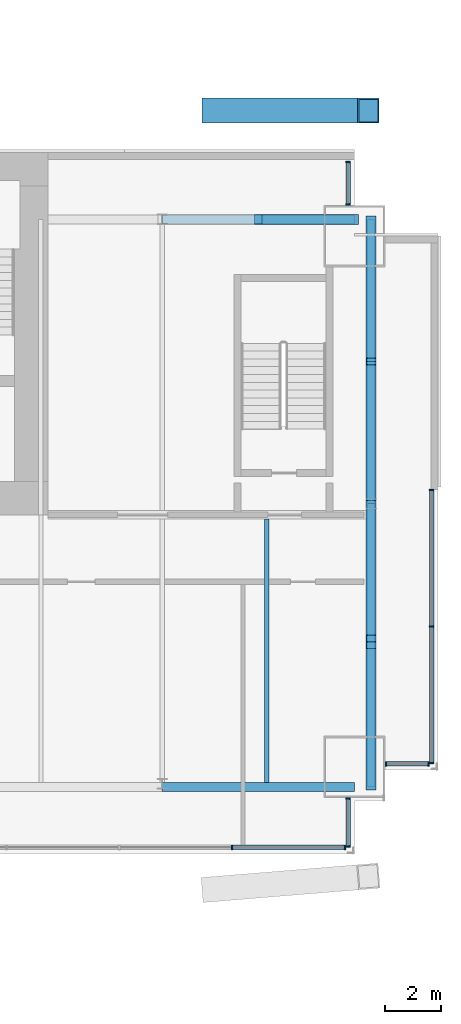
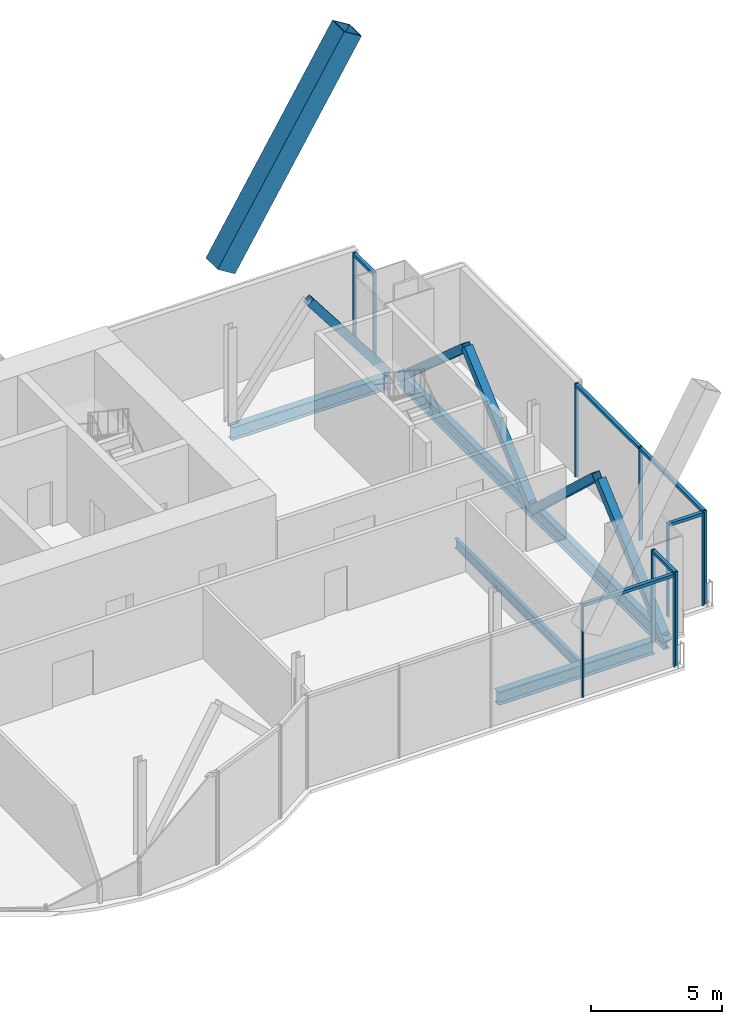
# One storey, part 9 of 17: 23 members, 5 beams, 5 elements without a shape of their own.
"""IFC4 building model written with IfcOpenShell, lengths in metres."""

from ifc_helpers import new_model, si_unit, direction, frame, origin, origin_2d, place, context, subcontext, project, spatial, rectangle, hollow_rectangle, i_section, extrude, material, material_profile, profile_set, type_object, element, aggregate, save


model = new_model("IFC4")

# Units and contexts
model_context = context("Model", 3, precision=1e-05, world=origin(), true_north=direction((0.0, 1.0)))
body_context = subcontext(model_context, "Body", "Model", "MODEL_VIEW")
ifc_project = project(units=[si_unit("LENGTHUNIT", "METRE"), si_unit("AREAUNIT", "SQUARE_METRE"), si_unit("VOLUMEUNIT", "CUBIC_METRE"), si_unit("PLANEANGLEUNIT", "RADIAN"), si_unit("MASSUNIT", "GRAM", prefix="KILO")], contexts=[model_context])

# Site, building, storey
site_placement = place(None, origin())
site = spatial("IfcSite", under=ifc_project, at=site_placement, CompositionType="ELEMENT")
building_placement = place(site_placement, origin())
building = spatial("IfcBuilding", under=site, at=building_placement, Name="Bicima Exchange Tower", CompositionType="ELEMENT")
storey_placement = place(building_placement, frame((0.0, 0.0, 333.5)))
storey = spatial("IfcBuildingStorey", under=building, at=storey_placement, Name="L75", CompositionType="ELEMENT", Elevation=333.5)

# Curtain wall, members
ifc_material_1 = material(Name="Anodised bronze aluminium", Category="aluminium")
curtain_wall_type_1 = type_object("IfcCurtainWallType", Name="End face glass wall", PredefinedType="NOTDEFINED", material=ifc_material_1)
curtain_wall_1_placement = place(storey_placement, origin())
curtain_wall_1 = element("IfcCurtainWall", 1, at=curtain_wall_1_placement, inside=storey, type_object=curtain_wall_type_1, Name="End face glass wall L75 run 19", PredefinedType="NOTDEFINED")
ifc_material_profile_1 = material_profile(ifc_material_1, rectangle(XDim=0.159912109375, YDim=0.06005859375, at=origin_2d()))
ifc_profile_set_1 = profile_set([ifc_material_profile_1], Name="Anodised bronze aluminium")
member_type_1 = type_object("IfcMemberType", Name="End face glass wall mullion 60 x 160", PredefinedType="MULLION", material=ifc_profile_set_1)
member_1_placement = place(storey_placement, frame((35.77001953125, -21.904052734375, 0.0), z_axis=(0.0, 0.0, 1.0), x_axis=(-1.0, 0.0, 0.0)))
member_1 = element("IfcMember", 2, at=member_1_placement, type_object=member_type_1, Name="End face glass wall mullion 1", PredefinedType="MULLION", context=body_context, shape_type="SweptSolid", body=[
    extrude(rectangle(XDim=0.159912109375, YDim=0.06005859375, at=origin_2d()), origin(), (0.0, 0.0, 1.0), 4.35009765625),
])
member_2_placement = place(storey_placement, frame((35.77001953125, -17.007080078125, 0.0), z_axis=(0.0, 0.0, 1.0), x_axis=(-1.0, 0.0, 0.0)))
member_2 = element("IfcMember", 3, at=member_2_placement, type_object=member_type_1, Name="End face glass wall mullion 2", PredefinedType="MULLION", context=body_context, shape_type="SweptSolid", body=[
    extrude(rectangle(XDim=0.159912109375, YDim=0.06005859375, at=origin_2d()), origin(), (0.0, 0.0, 1.0), 4.35009765625),
])
member_3_placement = place(storey_placement, frame((35.77001953125, -12.110107421875, 0.0), z_axis=(0.0, 0.0, 1.0), x_axis=(-1.0, 0.0, 0.0)))
member_3 = element("IfcMember", 4, at=member_3_placement, type_object=member_type_1, Name="End face glass wall mullion 3", PredefinedType="MULLION", context=body_context, shape_type="SweptSolid", body=[
    extrude(rectangle(XDim=0.159912109375, YDim=0.06005859375, at=origin_2d()), origin(), (0.0, 0.0, 1.0), 4.35009765625),
])
ifc_material_profile_2 = material_profile(ifc_material_1, rectangle(XDim=0.159912109375, YDim=0.139892578125, at=origin_2d()))
ifc_profile_set_2 = profile_set([ifc_material_profile_2], Name="Anodised bronze aluminium")
member_type_2 = type_object("IfcMemberType", Name="End face glass wall transom 140 x 160", PredefinedType="USERDEFINED", material=ifc_profile_set_2)
member_4_placement = place(storey_placement, frame((35.77001953125, -21.8740234375, 4.280029296875), z_axis=(0.0, 1.0, 0.0), x_axis=(-1.0, 0.0, 0.0)))
member_4 = element("IfcMember", 5, at=member_4_placement, type_object=member_type_2, Name="End face glass wall transom 1.1", ObjectType="TRANSOM", PredefinedType="USERDEFINED", context=body_context, shape_type="SweptSolid", body=[
    extrude(rectangle(XDim=0.159912109375, YDim=0.139892578125, at=origin_2d()), origin(), (0.0, 0.0, 1.0), 4.8369140625),
])
member_5_placement = place(storey_placement, frame((35.77001953125, -16.97705078125, 4.280029296875), z_axis=(0.0, 1.0, 0.0), x_axis=(-1.0, 0.0, 0.0)))
member_5 = element("IfcMember", 6, at=member_5_placement, type_object=member_type_2, Name="End face glass wall transom 2.1", ObjectType="TRANSOM", PredefinedType="USERDEFINED", context=body_context, shape_type="SweptSolid", body=[
    extrude(rectangle(XDim=0.159912109375, YDim=0.139892578125, at=origin_2d()), origin(), (0.0, 0.0, 1.0), 4.837158203125),
])
aggregate(curtain_wall_1, [member_1, member_2, member_3, member_4, member_5])

# Beams
ifc_material_2 = material(Name="Steel ASTM A992 Gr 50", Category="steel")
ifc_material_profile_3 = material_profile(ifc_material_2, i_section(OverallWidth=0.256591796875, OverallDepth=0.693359375, WebThickness=0.014404296875, FlangeThickness=0.023681640625, at=origin_2d()))
ifc_profile_set_3 = profile_set([ifc_material_profile_3], Name="Steel ASTM A992 Gr 50")
beam_type_1 = type_object("IfcBeamType", Name="End girder W27x114", PredefinedType="BEAM", material=ifc_profile_set_3)
beam_1_placement = place(storey_placement, frame((33.60009765625, -2.39990234375, -0.49658203125), z_axis=(0.0, -1.0, 0.0), x_axis=(1.0, 0.0, 0.0)))
element("IfcBeam", 7, at=beam_1_placement, inside=storey, type_object=beam_type_1, Name="End girder", PredefinedType="BEAM", context=body_context, shape_type="SweptSolid", body=[
    extrude(i_section(OverallWidth=0.256591796875, OverallDepth=0.693359375, WebThickness=0.014404296875, FlangeThickness=0.023681640625, at=origin_2d()), origin(), (0.0, 0.0, 1.0), 10.2001953125),
])
beam_2_placement = place(storey_placement, frame((33.60009765625, -12.60009765625, -0.49658203125), z_axis=(0.0, -1.0, 0.0), x_axis=(1.0, 0.0, 0.0)))
element("IfcBeam", 8, at=beam_2_placement, inside=storey, type_object=beam_type_1, Name="End girder", PredefinedType="BEAM", context=body_context, shape_type="SweptSolid", body=[
    extrude(i_section(OverallWidth=0.256591796875, OverallDepth=0.693359375, WebThickness=0.014404296875, FlangeThickness=0.023681640625, at=origin_2d()), origin(), (0.0, 0.0, 1.0), 10.163818359375),
])

# Member
ifc_material_3 = material(Name="Steel ASTM A572 Gr 50", Category="steel")
ifc_material_profile_4 = material_profile(ifc_material_3, hollow_rectangle(XDim=0.89990234375, YDim=0.89990234375, WallThickness=0.050048828125, at=origin_2d()))
ifc_profile_set_4 = profile_set([ifc_material_profile_4], Name="Steel ASTM A572 Gr 50")
member_type_3 = type_object("IfcMemberType", Name="Exo mega brace BOX 900x900x50", PredefinedType="BRACE", material=ifc_profile_set_4)
member_6_placement = place(storey_placement, frame((27.916748046875, 1.5, 4.308349609375), z_axis=(0.521226887558, 0.0, 0.853418145862), x_axis=(0.0, 1.0, 0.0)))
element("IfcMember", 9, at=member_6_placement, inside=storey, type_object=member_type_3, Name="Exo mega brace rear", PredefinedType="BRACE", context=body_context, shape_type="SweptSolid", body=[
    extrude(hollow_rectangle(XDim=0.89990234375, YDim=0.89990234375, WallThickness=0.050048828125, at=origin_2d()), origin(), (0.0, 0.0, 1.0), 10.711669921875),
])

# Beams
ifc_material_profile_5 = material_profile(ifc_material_2, i_section(OverallWidth=0.15283203125, OverallDepth=0.45458984375, WebThickness=0.008056640625, FlangeThickness=0.013427734375, at=origin_2d()))
ifc_profile_set_5 = profile_set([ifc_material_profile_5], Name="Steel ASTM A992 Gr 50")
beam_type_2 = type_object("IfcBeamType", Name="Floor beam W18x40", PredefinedType="JOIST", material=ifc_profile_set_5)
beam_3_placement = place(storey_placement, frame((29.85009765625, -13.15234375, -0.377197265625), z_axis=(0.0, -1.0, 0.0), x_axis=(1.0, 0.0, 0.0)))
element("IfcBeam", 10, at=beam_3_placement, inside=storey, type_object=beam_type_2, Name="Floor beam", PredefinedType="JOIST", context=body_context, shape_type="SweptSolid", body=[
    extrude(i_section(OverallWidth=0.15283203125, OverallDepth=0.45458984375, WebThickness=0.008056640625, FlangeThickness=0.013427734375, at=origin_2d()), origin(), (0.0, 0.0, 1.0), 9.448974609375),
])
ifc_material_profile_6 = material_profile(ifc_material_2, i_section(OverallWidth=0.3251953125, OverallDepth=0.612060546875, WebThickness=0.0126953125, FlangeThickness=0.01904296875, at=origin_2d()))
ifc_profile_set_6 = profile_set([ifc_material_profile_6], Name="Steel ASTM A992 Gr 50")
beam_type_3 = type_object("IfcBeamType", Name="Front girder W24x104", PredefinedType="BEAM", material=ifc_profile_set_6)
beam_4_placement = place(storey_placement, frame((26.10009765625, -22.763916015625, -0.4560546875), z_axis=(1.0, 0.0, 0.0), x_axis=(0.0, 1.0, 0.0)))
element("IfcBeam", 11, at=beam_4_placement, inside=storey, type_object=beam_type_3, Name="Front girder", PredefinedType="BEAM", context=body_context, shape_type="SweptSolid", body=[
    extrude(i_section(OverallWidth=0.3251953125, OverallDepth=0.612060546875, WebThickness=0.0126953125, FlangeThickness=0.01904296875, at=origin_2d()), origin(), (0.0, 0.0, 1.0), 6.89990234375),
])

# Curtain wall, members
curtain_wall_type_2 = type_object("IfcCurtainWallType", Name="Front glass wall", PredefinedType="NOTDEFINED", material=ifc_material_1)
curtain_wall_2_placement = place(storey_placement, origin())
curtain_wall_2 = element("IfcCurtainWall", 12, at=curtain_wall_2_placement, inside=storey, type_object=curtain_wall_type_2, Name="Front glass wall L75 run 16", PredefinedType="NOTDEFINED")
member_type_4 = type_object("IfcMemberType", Name="Front glass wall mullion 60 x 160", PredefinedType="MULLION", material=ifc_profile_set_1)
member_7_placement = place(storey_placement, frame((28.610595703125, -24.93408203125, 0.0), z_axis=(0.0, 0.0, 1.0), x_axis=(0.0, 1.0, 0.0)))
member_7 = element("IfcMember", 13, at=member_7_placement, type_object=member_type_4, Name="Front glass wall mullion 4", PredefinedType="MULLION", context=body_context, shape_type="SweptSolid", body=[
    extrude(rectangle(XDim=0.159912109375, YDim=0.06005859375, at=origin_2d()), origin(), (0.0, 0.0, 1.0), 4.35009765625),
])
member_8_placement = place(storey_placement, frame((32.659912109375, -24.93408203125, 0.0), z_axis=(0.0, 0.0, 1.0), x_axis=(0.0, 1.0, 0.0)))
member_8 = element("IfcMember", 14, at=member_8_placement, type_object=member_type_4, Name="Front glass wall mullion 5", PredefinedType="MULLION", context=body_context, shape_type="SweptSolid", body=[
    extrude(rectangle(XDim=0.159912109375, YDim=0.06005859375, at=origin_2d()), origin(), (0.0, 0.0, 1.0), 4.35009765625),
])

curtain_wall_3_placement = place(storey_placement, origin())
curtain_wall_3 = element("IfcCurtainWall", 15, at=curtain_wall_3_placement, inside=storey, type_object=curtain_wall_type_2, Name="Front glass wall L75 run 17", PredefinedType="NOTDEFINED")
member_9_placement = place(storey_placement, frame((32.77001953125, -24.904052734375, 0.0), z_axis=(0.0, 0.0, 1.0), x_axis=(-1.0, 0.0, 0.0)))
member_9 = element("IfcMember", 16, at=member_9_placement, type_object=member_type_4, Name="Front glass wall mullion 1", PredefinedType="MULLION", context=body_context, shape_type="SweptSolid", body=[
    extrude(rectangle(XDim=0.159912109375, YDim=0.06005859375, at=origin_2d()), origin(), (0.0, 0.0, 1.0), 4.35009765625),
])
member_10_placement = place(storey_placement, frame((32.77001953125, -23.172119140625, 0.0), z_axis=(0.0, 0.0, 1.0), x_axis=(-1.0, 0.0, 0.0)))
member_10 = element("IfcMember", 17, at=member_10_placement, type_object=member_type_4, Name="Front glass wall mullion 2", PredefinedType="MULLION", context=body_context, shape_type="SweptSolid", body=[
    extrude(rectangle(XDim=0.159912109375, YDim=0.06005859375, at=origin_2d()), origin(), (0.0, 0.0, 1.0), 4.35009765625),
])

curtain_wall_4_placement = place(storey_placement, origin())
curtain_wall_4 = element("IfcCurtainWall", 18, at=curtain_wall_4_placement, inside=storey, type_object=curtain_wall_type_2, Name="Front glass wall L75 run 18", PredefinedType="NOTDEFINED")
member_11_placement = place(storey_placement, frame((34.1298828125, -21.93408203125, 0.0), z_axis=(0.0, 0.0, 1.0), x_axis=(0.0, 1.0, 0.0)))
member_11 = element("IfcMember", 19, at=member_11_placement, type_object=member_type_4, Name="Front glass wall mullion 1", PredefinedType="MULLION", context=body_context, shape_type="SweptSolid", body=[
    extrude(rectangle(XDim=0.159912109375, YDim=0.06005859375, at=origin_2d()), origin(), (0.0, 0.0, 1.0), 4.35009765625),
])
member_12_placement = place(storey_placement, frame((35.659912109375, -21.93408203125, 0.0), z_axis=(0.0, 0.0, 1.0), x_axis=(0.0, 1.0, 0.0)))
member_12 = element("IfcMember", 20, at=member_12_placement, type_object=member_type_4, Name="Front glass wall mullion 2", PredefinedType="MULLION", context=body_context, shape_type="SweptSolid", body=[
    extrude(rectangle(XDim=0.159912109375, YDim=0.06005859375, at=origin_2d()), origin(), (0.0, 0.0, 1.0), 4.35009765625),
])

curtain_wall_5_placement = place(storey_placement, origin())
curtain_wall_5 = element("IfcCurtainWall", 21, at=curtain_wall_5_placement, inside=storey, type_object=curtain_wall_type_2, Name="Front glass wall L75 run 20", PredefinedType="NOTDEFINED")
member_13_placement = place(storey_placement, frame((32.77001953125, -1.8701171875, 0.0), z_axis=(0.0, 0.0, 1.0), x_axis=(-1.0, 0.0, 0.0)))
member_13 = element("IfcMember", 22, at=member_13_placement, type_object=member_type_4, Name="Front glass wall mullion 1", PredefinedType="MULLION", context=body_context, shape_type="SweptSolid", body=[
    extrude(rectangle(XDim=0.159912109375, YDim=0.06005859375, at=origin_2d()), origin(), (0.0, 0.0, 1.0), 4.35009765625),
])
member_14_placement = place(storey_placement, frame((32.77001953125, -0.340087890625, 0.0), z_axis=(0.0, 0.0, 1.0), x_axis=(-1.0, 0.0, 0.0)))
member_14 = element("IfcMember", 23, at=member_14_placement, type_object=member_type_4, Name="Front glass wall mullion 2", PredefinedType="MULLION", context=body_context, shape_type="SweptSolid", body=[
    extrude(rectangle(XDim=0.159912109375, YDim=0.06005859375, at=origin_2d()), origin(), (0.0, 0.0, 1.0), 4.35009765625),
])

# Member
member_type_5 = type_object("IfcMemberType", Name="Front glass wall transom 140 x 160", PredefinedType="USERDEFINED", material=ifc_profile_set_2)
member_15_placement = place(storey_placement, frame((28.640380859375, -24.93408203125, 4.280029296875), z_axis=(1.0, 0.0, 0.0), x_axis=(0.0, 1.0, 0.0)))
member_15 = element("IfcMember", 24, at=member_15_placement, type_object=member_type_5, Name="Front glass wall transom 4.1", ObjectType="TRANSOM", PredefinedType="USERDEFINED", context=body_context, shape_type="SweptSolid", body=[
    extrude(rectangle(XDim=0.159912109375, YDim=0.139892578125, at=origin_2d()), origin(), (0.0, 0.0, 1.0), 3.989501953125),
])

aggregate(curtain_wall_2, [member_7, member_8, member_15])

member_16_placement = place(storey_placement, frame((32.77001953125, -24.8740234375, 4.280029296875), z_axis=(0.0, 1.0, 0.0), x_axis=(-1.0, 0.0, 0.0)))
member_16 = element("IfcMember", 25, at=member_16_placement, type_object=member_type_5, Name="Front glass wall transom 1.1", ObjectType="TRANSOM", PredefinedType="USERDEFINED", context=body_context, shape_type="SweptSolid", body=[
    extrude(rectangle(XDim=0.159912109375, YDim=0.139892578125, at=origin_2d()), origin(), (0.0, 0.0, 1.0), 1.672119140625),
])

aggregate(curtain_wall_3, [member_9, member_10, member_16])

member_17_placement = place(storey_placement, frame((34.159912109375, -21.93408203125, 4.280029296875), z_axis=(1.0, 0.0, 0.0), x_axis=(0.0, 1.0, 0.0)))
member_17 = element("IfcMember", 26, at=member_17_placement, type_object=member_type_5, Name="Front glass wall transom 1.1", ObjectType="TRANSOM", PredefinedType="USERDEFINED", context=body_context, shape_type="SweptSolid", body=[
    extrude(rectangle(XDim=0.159912109375, YDim=0.139892578125, at=origin_2d()), origin(), (0.0, 0.0, 1.0), 1.469970703125),
])

aggregate(curtain_wall_4, [member_11, member_12, member_17])

member_18_placement = place(storey_placement, frame((32.77001953125, -1.840087890625, 4.280029296875), z_axis=(0.0, 1.0, 0.0), x_axis=(-1.0, 0.0, 0.0)))
member_18 = element("IfcMember", 27, at=member_18_placement, type_object=member_type_5, Name="Front glass wall transom 1.1", ObjectType="TRANSOM", PredefinedType="USERDEFINED", context=body_context, shape_type="SweptSolid", body=[
    extrude(rectangle(XDim=0.159912109375, YDim=0.139892578125, at=origin_2d()), origin(), (0.0, 0.0, 1.0), 1.469970703125),
])

aggregate(curtain_wall_5, [member_13, member_14, member_18])

# Members
ifc_material_profile_7 = material_profile(ifc_material_3, hollow_rectangle(XDim=0.355712890625, YDim=0.355712890625, WallThickness=0.01171875, at=origin_2d()))
ifc_profile_set_7 = profile_set([ifc_material_profile_7], Name="Steel ASTM A572 Gr 50")
member_type_6 = type_object("IfcMemberType", Name="Mega brace HSS14x14x1/2", PredefinedType="BRACE", material=ifc_profile_set_7)
member_19_placement = place(storey_placement, frame((33.0, -2.39990234375, 0.0), z_axis=(-0.608426120198, 0.0, 0.793610519248), x_axis=(0.0, -1.0, 0.0)))
element("IfcMember", 28, at=member_19_placement, inside=storey, type_object=member_type_6, Name="Mega brace rear", PredefinedType="BRACE", context=body_context, shape_type="SweptSolid", body=[
    extrude(hollow_rectangle(XDim=0.355712890625, YDim=0.355712890625, WallThickness=0.01171875, at=origin_2d()), origin(), (0.0, 0.0, 1.0), 5.670166015625),
])
for number, where, z_axis, x_axis, name in (
    (29, (33.60009765625, -2.39990234375, -0.49658203125), (0.0, -0.749844140428, 0.661614513948), (1.0, 0.0, 0.0), "Mega brace east end"),
    (30, (33.60009765625, -12.60009765625, -0.49658203125), (0.0, 0.749844140428, 0.661614513948), (-1.0, 0.0, 0.0), "Mega brace east end"),
):
    element("IfcMember", number, at=place(storey_placement, frame(where, z_axis=z_axis, x_axis=x_axis)), inside=storey, type_object=member_type_6, Name=name, PredefinedType="BRACE", context=body_context, shape_type="SweptSolid", body=[
        extrude(hollow_rectangle(XDim=0.355712890625, YDim=0.355712890625, WallThickness=0.01171875, at=origin_2d()), origin(), (0.0, 0.0, 1.0), 6.801513671875),
    ])
member_20_placement = place(storey_placement, frame((33.60009765625, -12.60009765625, -0.49658203125), z_axis=(0.0, -0.732214163976, 0.681074458538), x_axis=(1.0, 0.0, 0.0)))
element("IfcMember", 31, at=member_20_placement, inside=storey, type_object=member_type_6, Name="Mega brace east end", PredefinedType="BRACE", context=body_context, shape_type="SweptSolid", body=[
    extrude(hollow_rectangle(XDim=0.355712890625, YDim=0.355712890625, WallThickness=0.01171875, at=origin_2d()), origin(), (0.0, 0.0, 1.0), 6.607177734375),
])
member_21_placement = place(storey_placement, frame((33.60009765625, -22.763916015625, -0.49658203125), z_axis=(0.0, 0.748677941398, 0.662933888155), x_axis=(-1.0, 0.0, 0.0)))
element("IfcMember", 32, at=member_21_placement, inside=storey, type_object=member_type_6, Name="Mega brace east end", PredefinedType="BRACE", context=body_context, shape_type="SweptSolid", body=[
    extrude(hollow_rectangle(XDim=0.355712890625, YDim=0.355712890625, WallThickness=0.01171875, at=origin_2d()), origin(), (0.0, 0.0, 1.0), 6.7880859375),
])

# Beam
beam_type_4 = type_object("IfcBeamType", Name="Rear girder W24x104", PredefinedType="BEAM", material=ifc_profile_set_6)
beam_5_placement = place(storey_placement, frame((26.10009765625, -2.39990234375, -0.4560546875), z_axis=(1.0, 0.0, 0.0), x_axis=(0.0, 1.0, 0.0)))
element("IfcBeam", 33, at=beam_5_placement, inside=storey, type_object=beam_type_4, Name="Rear girder", PredefinedType="BEAM", context=body_context, shape_type="SweptSolid", body=[
    extrude(i_section(OverallWidth=0.3251953125, OverallDepth=0.612060546875, WebThickness=0.0126953125, FlangeThickness=0.01904296875, at=origin_2d()), origin(), (0.0, 0.0, 1.0), 6.89990234375),
])

save(model, "model.ifc")
